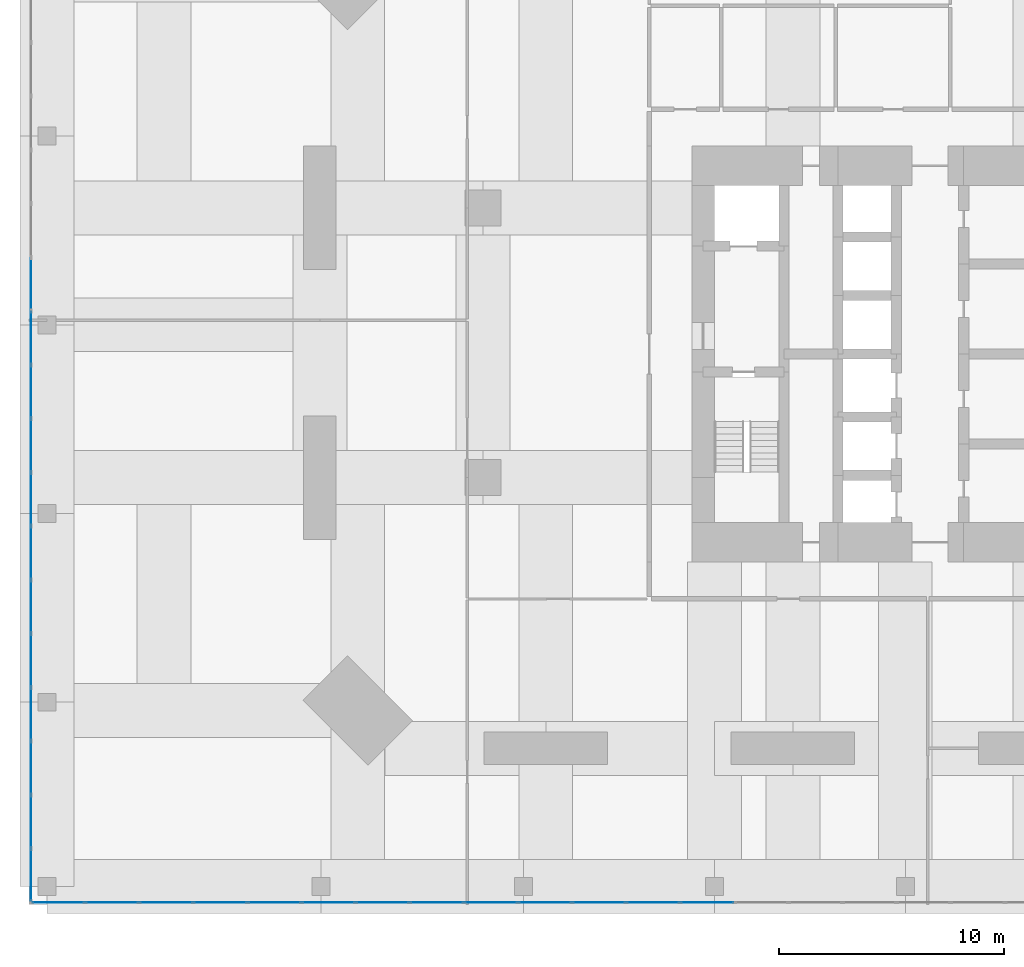
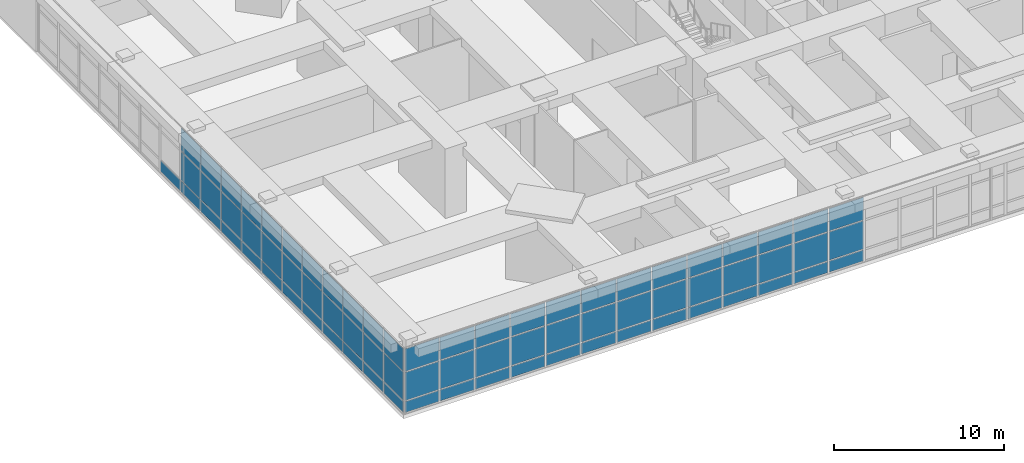
# One storey, part 13 of 22: 73 plates, 2 elements without a shape of their own.
"""IFC4 building model written with IfcOpenShell, lengths in metres."""

from ifc_helpers import new_model, si_unit, direction, frame, origin, origin_2d, place, context, subcontext, project, spatial, rectangle, extrude, material, layer, layer_set, type_object, element, aggregate, save


model = new_model("IFC4")

# Units and contexts
model_context = context("Model", 3, precision=1e-05, world=origin(), true_north=direction((0.0, 1.0)))
body_context = subcontext(model_context, "Body", "Model", "MODEL_VIEW")
ifc_project = project(units=[si_unit("LENGTHUNIT", "METRE"), si_unit("AREAUNIT", "SQUARE_METRE"), si_unit("VOLUMEUNIT", "CUBIC_METRE"), si_unit("PLANEANGLEUNIT", "RADIAN"), si_unit("MASSUNIT", "GRAM", prefix="KILO")], contexts=[model_context])

# Site, building, storey
site_placement = place(None, origin())
site = spatial("IfcSite", under=ifc_project, at=site_placement, CompositionType="ELEMENT")
building_placement = place(site_placement, origin())
building = spatial("IfcBuilding", under=site, at=building_placement, Name="Jalousie Tower", CompositionType="ELEMENT")
storey_placement = place(building_placement, frame((0.0, 0.0, 6.0)))
storey = spatial("IfcBuildingStorey", under=building, at=storey_placement, Name="L01", CompositionType="ELEMENT", Elevation=6.0)

# Curtain wall, plates
ifc_material_1 = material(Name="Aluminium curtain wall", Category="aluminium")
curtain_wall_type = type_object("IfcCurtainWallType", Name="PODIUM WINDOW WALL", PredefinedType="USERDEFINED", material=ifc_material_1)
curtain_wall_1_placement = place(storey_placement, origin())
curtain_wall_1 = element("IfcCurtainWall", 1, at=curtain_wall_1_placement, inside=storey, type_object=curtain_wall_type, Name="Podium Window Wall L01 1", ObjectType="PODIUM WINDOW WALL", PredefinedType="USERDEFINED")
ifc_material_2 = material(Name="Laminated impact-rated glass", Category="glass")
ifc_layer = layer(ifc_material_2, 0.030029296875)
ifc_layer_set = layer_set([ifc_layer], Name="Laminated impact-rated glass")
plate_type = type_object("IfcPlateType", Name="PODIUM WINDOW WALL PANEL", PredefinedType="CURTAIN_PANEL", material=ifc_layer_set)
plate_1_placement = place(storey_placement, frame((-8.691162109375, -5.91259765625, 0.070068359375), z_axis=(0.0, 0.0, 1.0), x_axis=(1.0, 0.0, 0.0)))
plate_1 = element("IfcPlate", 2, at=plate_1_placement, type_object=plate_type, Name="CW-P panel 1.1", PredefinedType="CURTAIN_PANEL", context=body_context, shape_type="SweptSolid", body=[
    extrude(rectangle(XDim=2.302734375, YDim=0.030029296875, at=origin_2d()), origin(), (0.0, 0.0, 1.0), 0.794921875),
])
plate_2_placement = place(storey_placement, frame((-8.691162109375, -5.91259765625, 0.93505859375), z_axis=(0.0, 0.0, 1.0), x_axis=(1.0, 0.0, 0.0)))
plate_2 = element("IfcPlate", 3, at=plate_2_placement, type_object=plate_type, Name="CW-P panel 1.2", PredefinedType="CURTAIN_PANEL", context=body_context, shape_type="SweptSolid", body=[
    extrude(rectangle(XDim=2.302734375, YDim=0.030029296875, at=origin_2d()), origin(), (0.0, 0.0, 1.0), 2.030029296875),
])
plate_3_placement = place(storey_placement, frame((-8.691162109375, -5.91259765625, 3.03515625), z_axis=(0.0, 0.0, 1.0), x_axis=(1.0, 0.0, 0.0)))
plate_3 = element("IfcPlate", 4, at=plate_3_placement, type_object=plate_type, Name="CW-P panel 1.3", PredefinedType="CURTAIN_PANEL", context=body_context, shape_type="SweptSolid", body=[
    extrude(rectangle(XDim=2.302734375, YDim=0.030029296875, at=origin_2d()), origin(), (0.0, 0.0, 1.0), 1.614990234375),
])
plate_4_placement = place(storey_placement, frame((-6.30078125, -5.91259765625, 0.070068359375), z_axis=(0.0, 0.0, 1.0), x_axis=(1.0, 0.0, 0.0)))
plate_4 = element("IfcPlate", 5, at=plate_4_placement, type_object=plate_type, Name="CW-P panel 2.1", PredefinedType="CURTAIN_PANEL", context=body_context, shape_type="SweptSolid", body=[
    extrude(rectangle(XDim=2.337646484375, YDim=0.030029296875, at=origin_2d()), origin(), (0.0, 0.0, 1.0), 0.794921875),
])
plate_5_placement = place(storey_placement, frame((-6.30078125, -5.91259765625, 0.93505859375), z_axis=(0.0, 0.0, 1.0), x_axis=(1.0, 0.0, 0.0)))
plate_5 = element("IfcPlate", 6, at=plate_5_placement, type_object=plate_type, Name="CW-P panel 2.2", PredefinedType="CURTAIN_PANEL", context=body_context, shape_type="SweptSolid", body=[
    extrude(rectangle(XDim=2.337646484375, YDim=0.030029296875, at=origin_2d()), origin(), (0.0, 0.0, 1.0), 2.030029296875),
])
plate_6_placement = place(storey_placement, frame((-6.30078125, -5.91259765625, 3.03515625), z_axis=(0.0, 0.0, 1.0), x_axis=(1.0, 0.0, 0.0)))
plate_6 = element("IfcPlate", 7, at=plate_6_placement, type_object=plate_type, Name="CW-P panel 2.3", PredefinedType="CURTAIN_PANEL", context=body_context, shape_type="SweptSolid", body=[
    extrude(rectangle(XDim=2.337646484375, YDim=0.030029296875, at=origin_2d()), origin(), (0.0, 0.0, 1.0), 1.614990234375),
])
plate_7_placement = place(storey_placement, frame((-3.89306640625, -5.91259765625, 0.070068359375), z_axis=(0.0, 0.0, 1.0), x_axis=(1.0, 0.0, 0.0)))
plate_7 = element("IfcPlate", 8, at=plate_7_placement, type_object=plate_type, Name="CW-P panel 3.1", PredefinedType="CURTAIN_PANEL", context=body_context, shape_type="SweptSolid", body=[
    extrude(rectangle(XDim=2.337646484375, YDim=0.030029296875, at=origin_2d()), origin(), (0.0, 0.0, 1.0), 0.794921875),
])
plate_8_placement = place(storey_placement, frame((-3.89306640625, -5.91259765625, 0.93505859375), z_axis=(0.0, 0.0, 1.0), x_axis=(1.0, 0.0, 0.0)))
plate_8 = element("IfcPlate", 9, at=plate_8_placement, type_object=plate_type, Name="CW-P panel 3.2", PredefinedType="CURTAIN_PANEL", context=body_context, shape_type="SweptSolid", body=[
    extrude(rectangle(XDim=2.337646484375, YDim=0.030029296875, at=origin_2d()), origin(), (0.0, 0.0, 1.0), 2.030029296875),
])
plate_9_placement = place(storey_placement, frame((-3.89306640625, -5.91259765625, 3.03515625), z_axis=(0.0, 0.0, 1.0), x_axis=(1.0, 0.0, 0.0)))
plate_9 = element("IfcPlate", 10, at=plate_9_placement, type_object=plate_type, Name="CW-P panel 3.3", PredefinedType="CURTAIN_PANEL", context=body_context, shape_type="SweptSolid", body=[
    extrude(rectangle(XDim=2.337646484375, YDim=0.030029296875, at=origin_2d()), origin(), (0.0, 0.0, 1.0), 1.614990234375),
])
plate_10_placement = place(storey_placement, frame((-1.4853515625, -5.91259765625, 0.070068359375), z_axis=(0.0, 0.0, 1.0), x_axis=(1.0, 0.0, 0.0)))
plate_10 = element("IfcPlate", 11, at=plate_10_placement, type_object=plate_type, Name="CW-P panel 4.1", PredefinedType="CURTAIN_PANEL", context=body_context, shape_type="SweptSolid", body=[
    extrude(rectangle(XDim=2.337646484375, YDim=0.030029296875, at=origin_2d()), origin(), (0.0, 0.0, 1.0), 0.794921875),
])
plate_11_placement = place(storey_placement, frame((-1.4853515625, -5.91259765625, 0.93505859375), z_axis=(0.0, 0.0, 1.0), x_axis=(1.0, 0.0, 0.0)))
plate_11 = element("IfcPlate", 12, at=plate_11_placement, type_object=plate_type, Name="CW-P panel 4.2", PredefinedType="CURTAIN_PANEL", context=body_context, shape_type="SweptSolid", body=[
    extrude(rectangle(XDim=2.337646484375, YDim=0.030029296875, at=origin_2d()), origin(), (0.0, 0.0, 1.0), 2.030029296875),
])
plate_12_placement = place(storey_placement, frame((-1.4853515625, -5.91259765625, 3.03515625), z_axis=(0.0, 0.0, 1.0), x_axis=(1.0, 0.0, 0.0)))
plate_12 = element("IfcPlate", 13, at=plate_12_placement, type_object=plate_type, Name="CW-P panel 4.3", PredefinedType="CURTAIN_PANEL", context=body_context, shape_type="SweptSolid", body=[
    extrude(rectangle(XDim=2.337646484375, YDim=0.030029296875, at=origin_2d()), origin(), (0.0, 0.0, 1.0), 1.614990234375),
])
plate_13_placement = place(storey_placement, frame((0.92236328125, -5.91259765625, 0.070068359375), z_axis=(0.0, 0.0, 1.0), x_axis=(1.0, 0.0, 0.0)))
plate_13 = element("IfcPlate", 14, at=plate_13_placement, type_object=plate_type, Name="CW-P panel 5.1", PredefinedType="CURTAIN_PANEL", context=body_context, shape_type="SweptSolid", body=[
    extrude(rectangle(XDim=2.337646484375, YDim=0.030029296875, at=origin_2d()), origin(), (0.0, 0.0, 1.0), 0.794921875),
])
plate_14_placement = place(storey_placement, frame((0.92236328125, -5.91259765625, 0.93505859375), z_axis=(0.0, 0.0, 1.0), x_axis=(1.0, 0.0, 0.0)))
plate_14 = element("IfcPlate", 15, at=plate_14_placement, type_object=plate_type, Name="CW-P panel 5.2", PredefinedType="CURTAIN_PANEL", context=body_context, shape_type="SweptSolid", body=[
    extrude(rectangle(XDim=2.337646484375, YDim=0.030029296875, at=origin_2d()), origin(), (0.0, 0.0, 1.0), 2.030029296875),
])
plate_15_placement = place(storey_placement, frame((0.92236328125, -5.91259765625, 3.03515625), z_axis=(0.0, 0.0, 1.0), x_axis=(1.0, 0.0, 0.0)))
plate_15 = element("IfcPlate", 16, at=plate_15_placement, type_object=plate_type, Name="CW-P panel 5.3", PredefinedType="CURTAIN_PANEL", context=body_context, shape_type="SweptSolid", body=[
    extrude(rectangle(XDim=2.337646484375, YDim=0.030029296875, at=origin_2d()), origin(), (0.0, 0.0, 1.0), 1.614990234375),
])
plate_16_placement = place(storey_placement, frame((3.330078125, -5.91259765625, 0.070068359375), z_axis=(0.0, 0.0, 1.0), x_axis=(1.0, 0.0, 0.0)))
plate_16 = element("IfcPlate", 17, at=plate_16_placement, type_object=plate_type, Name="CW-P panel 6.1", PredefinedType="CURTAIN_PANEL", context=body_context, shape_type="SweptSolid", body=[
    extrude(rectangle(XDim=2.337646484375, YDim=0.030029296875, at=origin_2d()), origin(), (0.0, 0.0, 1.0), 0.794921875),
])
plate_17_placement = place(storey_placement, frame((3.330078125, -5.91259765625, 0.93505859375), z_axis=(0.0, 0.0, 1.0), x_axis=(1.0, 0.0, 0.0)))
plate_17 = element("IfcPlate", 18, at=plate_17_placement, type_object=plate_type, Name="CW-P panel 6.2", PredefinedType="CURTAIN_PANEL", context=body_context, shape_type="SweptSolid", body=[
    extrude(rectangle(XDim=2.337646484375, YDim=0.030029296875, at=origin_2d()), origin(), (0.0, 0.0, 1.0), 2.030029296875),
])
plate_18_placement = place(storey_placement, frame((3.330078125, -5.91259765625, 3.03515625), z_axis=(0.0, 0.0, 1.0), x_axis=(1.0, 0.0, 0.0)))
plate_18 = element("IfcPlate", 19, at=plate_18_placement, type_object=plate_type, Name="CW-P panel 6.3", PredefinedType="CURTAIN_PANEL", context=body_context, shape_type="SweptSolid", body=[
    extrude(rectangle(XDim=2.337646484375, YDim=0.030029296875, at=origin_2d()), origin(), (0.0, 0.0, 1.0), 1.614990234375),
])
plate_19_placement = place(storey_placement, frame((5.738037109375, -5.91259765625, 0.070068359375), z_axis=(0.0, 0.0, 1.0), x_axis=(1.0, 0.0, 0.0)))
plate_19 = element("IfcPlate", 20, at=plate_19_placement, type_object=plate_type, Name="CW-P panel 7.1", PredefinedType="CURTAIN_PANEL", context=body_context, shape_type="SweptSolid", body=[
    extrude(rectangle(XDim=2.337646484375, YDim=0.030029296875, at=origin_2d()), origin(), (0.0, 0.0, 1.0), 0.794921875),
])
plate_20_placement = place(storey_placement, frame((5.738037109375, -5.91259765625, 0.93505859375), z_axis=(0.0, 0.0, 1.0), x_axis=(1.0, 0.0, 0.0)))
plate_20 = element("IfcPlate", 21, at=plate_20_placement, type_object=plate_type, Name="CW-P panel 7.2", PredefinedType="CURTAIN_PANEL", context=body_context, shape_type="SweptSolid", body=[
    extrude(rectangle(XDim=2.337646484375, YDim=0.030029296875, at=origin_2d()), origin(), (0.0, 0.0, 1.0), 2.030029296875),
])
plate_21_placement = place(storey_placement, frame((5.738037109375, -5.91259765625, 3.03515625), z_axis=(0.0, 0.0, 1.0), x_axis=(1.0, 0.0, 0.0)))
plate_21 = element("IfcPlate", 22, at=plate_21_placement, type_object=plate_type, Name="CW-P panel 7.3", PredefinedType="CURTAIN_PANEL", context=body_context, shape_type="SweptSolid", body=[
    extrude(rectangle(XDim=2.337646484375, YDim=0.030029296875, at=origin_2d()), origin(), (0.0, 0.0, 1.0), 1.614990234375),
])
plate_22_placement = place(storey_placement, frame((8.145751953125, -5.91259765625, 0.070068359375), z_axis=(0.0, 0.0, 1.0), x_axis=(1.0, 0.0, 0.0)))
plate_22 = element("IfcPlate", 23, at=plate_22_placement, type_object=plate_type, Name="CW-P panel 8.1", PredefinedType="CURTAIN_PANEL", context=body_context, shape_type="SweptSolid", body=[
    extrude(rectangle(XDim=2.337646484375, YDim=0.030029296875, at=origin_2d()), origin(), (0.0, 0.0, 1.0), 0.794921875),
])
plate_23_placement = place(storey_placement, frame((8.145751953125, -5.91259765625, 0.93505859375), z_axis=(0.0, 0.0, 1.0), x_axis=(1.0, 0.0, 0.0)))
plate_23 = element("IfcPlate", 24, at=plate_23_placement, type_object=plate_type, Name="CW-P panel 8.2", PredefinedType="CURTAIN_PANEL", context=body_context, shape_type="SweptSolid", body=[
    extrude(rectangle(XDim=2.337646484375, YDim=0.030029296875, at=origin_2d()), origin(), (0.0, 0.0, 1.0), 2.030029296875),
])
plate_24_placement = place(storey_placement, frame((8.145751953125, -5.91259765625, 3.03515625), z_axis=(0.0, 0.0, 1.0), x_axis=(1.0, 0.0, 0.0)))
plate_24 = element("IfcPlate", 25, at=plate_24_placement, type_object=plate_type, Name="CW-P panel 8.3", PredefinedType="CURTAIN_PANEL", context=body_context, shape_type="SweptSolid", body=[
    extrude(rectangle(XDim=2.337646484375, YDim=0.030029296875, at=origin_2d()), origin(), (0.0, 0.0, 1.0), 1.614990234375),
])
plate_25_placement = place(storey_placement, frame((10.553466796875, -5.91259765625, 0.070068359375), z_axis=(0.0, 0.0, 1.0), x_axis=(1.0, 0.0, 0.0)))
plate_25 = element("IfcPlate", 26, at=plate_25_placement, type_object=plate_type, Name="CW-P panel 9.1", PredefinedType="CURTAIN_PANEL", context=body_context, shape_type="SweptSolid", body=[
    extrude(rectangle(XDim=2.337646484375, YDim=0.030029296875, at=origin_2d()), origin(), (0.0, 0.0, 1.0), 0.794921875),
])
plate_26_placement = place(storey_placement, frame((10.553466796875, -5.91259765625, 0.93505859375), z_axis=(0.0, 0.0, 1.0), x_axis=(1.0, 0.0, 0.0)))
plate_26 = element("IfcPlate", 27, at=plate_26_placement, type_object=plate_type, Name="CW-P panel 9.2", PredefinedType="CURTAIN_PANEL", context=body_context, shape_type="SweptSolid", body=[
    extrude(rectangle(XDim=2.337646484375, YDim=0.030029296875, at=origin_2d()), origin(), (0.0, 0.0, 1.0), 2.030029296875),
])
plate_27_placement = place(storey_placement, frame((10.553466796875, -5.91259765625, 3.03515625), z_axis=(0.0, 0.0, 1.0), x_axis=(1.0, 0.0, 0.0)))
plate_27 = element("IfcPlate", 28, at=plate_27_placement, type_object=plate_type, Name="CW-P panel 9.3", PredefinedType="CURTAIN_PANEL", context=body_context, shape_type="SweptSolid", body=[
    extrude(rectangle(XDim=2.337646484375, YDim=0.030029296875, at=origin_2d()), origin(), (0.0, 0.0, 1.0), 1.614990234375),
])
plate_28_placement = place(storey_placement, frame((12.961181640625, -5.91259765625, 0.070068359375), z_axis=(0.0, 0.0, 1.0), x_axis=(1.0, 0.0, 0.0)))
plate_28 = element("IfcPlate", 29, at=plate_28_placement, type_object=plate_type, Name="CW-P panel 10.1", PredefinedType="CURTAIN_PANEL", context=body_context, shape_type="SweptSolid", body=[
    extrude(rectangle(XDim=2.337646484375, YDim=0.030029296875, at=origin_2d()), origin(), (0.0, 0.0, 1.0), 0.794921875),
])
plate_29_placement = place(storey_placement, frame((12.961181640625, -5.91259765625, 0.93505859375), z_axis=(0.0, 0.0, 1.0), x_axis=(1.0, 0.0, 0.0)))
plate_29 = element("IfcPlate", 30, at=plate_29_placement, type_object=plate_type, Name="CW-P panel 10.2", PredefinedType="CURTAIN_PANEL", context=body_context, shape_type="SweptSolid", body=[
    extrude(rectangle(XDim=2.337646484375, YDim=0.030029296875, at=origin_2d()), origin(), (0.0, 0.0, 1.0), 2.030029296875),
])
plate_30_placement = place(storey_placement, frame((12.961181640625, -5.91259765625, 3.03515625), z_axis=(0.0, 0.0, 1.0), x_axis=(1.0, 0.0, 0.0)))
plate_30 = element("IfcPlate", 31, at=plate_30_placement, type_object=plate_type, Name="CW-P panel 10.3", PredefinedType="CURTAIN_PANEL", context=body_context, shape_type="SweptSolid", body=[
    extrude(rectangle(XDim=2.337646484375, YDim=0.030029296875, at=origin_2d()), origin(), (0.0, 0.0, 1.0), 1.614990234375),
])
plate_31_placement = place(storey_placement, frame((15.368896484375, -5.91259765625, 0.070068359375), z_axis=(0.0, 0.0, 1.0), x_axis=(1.0, 0.0, 0.0)))
plate_31 = element("IfcPlate", 32, at=plate_31_placement, type_object=plate_type, Name="CW-P panel 11.1", PredefinedType="CURTAIN_PANEL", context=body_context, shape_type="SweptSolid", body=[
    extrude(rectangle(XDim=2.337646484375, YDim=0.030029296875, at=origin_2d()), origin(), (0.0, 0.0, 1.0), 0.794921875),
])
plate_32_placement = place(storey_placement, frame((15.368896484375, -5.91259765625, 0.93505859375), z_axis=(0.0, 0.0, 1.0), x_axis=(1.0, 0.0, 0.0)))
plate_32 = element("IfcPlate", 33, at=plate_32_placement, type_object=plate_type, Name="CW-P panel 11.2", PredefinedType="CURTAIN_PANEL", context=body_context, shape_type="SweptSolid", body=[
    extrude(rectangle(XDim=2.337646484375, YDim=0.030029296875, at=origin_2d()), origin(), (0.0, 0.0, 1.0), 2.030029296875),
])
plate_33_placement = place(storey_placement, frame((15.368896484375, -5.91259765625, 3.03515625), z_axis=(0.0, 0.0, 1.0), x_axis=(1.0, 0.0, 0.0)))
plate_33 = element("IfcPlate", 34, at=plate_33_placement, type_object=plate_type, Name="CW-P panel 11.3", PredefinedType="CURTAIN_PANEL", context=body_context, shape_type="SweptSolid", body=[
    extrude(rectangle(XDim=2.337646484375, YDim=0.030029296875, at=origin_2d()), origin(), (0.0, 0.0, 1.0), 1.614990234375),
])
plate_34_placement = place(storey_placement, frame((17.776611328125, -5.91259765625, 0.070068359375), z_axis=(0.0, 0.0, 1.0), x_axis=(1.0, 0.0, 0.0)))
plate_34 = element("IfcPlate", 35, at=plate_34_placement, type_object=plate_type, Name="CW-P panel 12.1", PredefinedType="CURTAIN_PANEL", context=body_context, shape_type="SweptSolid", body=[
    extrude(rectangle(XDim=2.337646484375, YDim=0.030029296875, at=origin_2d()), origin(), (0.0, 0.0, 1.0), 0.794921875),
])
plate_35_placement = place(storey_placement, frame((17.776611328125, -5.91259765625, 0.93505859375), z_axis=(0.0, 0.0, 1.0), x_axis=(1.0, 0.0, 0.0)))
plate_35 = element("IfcPlate", 36, at=plate_35_placement, type_object=plate_type, Name="CW-P panel 12.2", PredefinedType="CURTAIN_PANEL", context=body_context, shape_type="SweptSolid", body=[
    extrude(rectangle(XDim=2.337646484375, YDim=0.030029296875, at=origin_2d()), origin(), (0.0, 0.0, 1.0), 2.030029296875),
])
plate_36_placement = place(storey_placement, frame((17.776611328125, -5.91259765625, 3.03515625), z_axis=(0.0, 0.0, 1.0), x_axis=(1.0, 0.0, 0.0)))
plate_36 = element("IfcPlate", 37, at=plate_36_placement, type_object=plate_type, Name="CW-P panel 12.3", PredefinedType="CURTAIN_PANEL", context=body_context, shape_type="SweptSolid", body=[
    extrude(rectangle(XDim=2.337646484375, YDim=0.030029296875, at=origin_2d()), origin(), (0.0, 0.0, 1.0), 1.614990234375),
])
plate_37_placement = place(storey_placement, frame((20.1845703125, -5.91259765625, 0.070068359375), z_axis=(0.0, 0.0, 1.0), x_axis=(1.0, 0.0, 0.0)))
plate_37 = element("IfcPlate", 38, at=plate_37_placement, type_object=plate_type, Name="CW-P panel 13.1", PredefinedType="CURTAIN_PANEL", context=body_context, shape_type="SweptSolid", body=[
    extrude(rectangle(XDim=2.337646484375, YDim=0.030029296875, at=origin_2d()), origin(), (0.0, 0.0, 1.0), 0.794921875),
])
plate_38_placement = place(storey_placement, frame((20.1845703125, -5.91259765625, 0.93505859375), z_axis=(0.0, 0.0, 1.0), x_axis=(1.0, 0.0, 0.0)))
plate_38 = element("IfcPlate", 39, at=plate_38_placement, type_object=plate_type, Name="CW-P panel 13.2", PredefinedType="CURTAIN_PANEL", context=body_context, shape_type="SweptSolid", body=[
    extrude(rectangle(XDim=2.337646484375, YDim=0.030029296875, at=origin_2d()), origin(), (0.0, 0.0, 1.0), 2.030029296875),
])
plate_39_placement = place(storey_placement, frame((20.1845703125, -5.91259765625, 3.03515625), z_axis=(0.0, 0.0, 1.0), x_axis=(1.0, 0.0, 0.0)))
plate_39 = element("IfcPlate", 40, at=plate_39_placement, type_object=plate_type, Name="CW-P panel 13.3", PredefinedType="CURTAIN_PANEL", context=body_context, shape_type="SweptSolid", body=[
    extrude(rectangle(XDim=2.337646484375, YDim=0.030029296875, at=origin_2d()), origin(), (0.0, 0.0, 1.0), 1.614990234375),
])
aggregate(curtain_wall_1, [plate_1, plate_2, plate_3, plate_4, plate_5, plate_6, plate_7, plate_8, plate_9, plate_10, plate_11, plate_12, plate_13, plate_14, plate_15, plate_16, plate_17, plate_18, plate_19, plate_20, plate_21, plate_22, plate_23, plate_24, plate_25, plate_26, plate_27, plate_28, plate_29, plate_30, plate_31, plate_32, plate_33, plate_34, plate_35, plate_36, plate_37, plate_38, plate_39])

curtain_wall_2_placement = place(storey_placement, origin())
curtain_wall_2 = element("IfcCurtainWall", 41, at=curtain_wall_2_placement, inside=storey, type_object=curtain_wall_type, Name="Podium Window Wall L01 33", ObjectType="PODIUM WINDOW WALL", PredefinedType="USERDEFINED")
plate_40_placement = place(storey_placement, frame((-9.91259765625, 21.599609375, 0.070068359375), z_axis=(0.0, 0.0, 1.0), x_axis=(0.0, -1.0, 0.0)))
plate_40 = element("IfcPlate", 42, at=plate_40_placement, type_object=plate_type, Name="CW-P panel 7.1", PredefinedType="CURTAIN_PANEL", context=body_context, shape_type="SweptSolid", body=[
    extrude(rectangle(XDim=2.322265625, YDim=0.030029296875, at=origin_2d()), origin(), (0.0, 0.0, 1.0), 0.794921875),
])
plate_41_placement = place(storey_placement, frame((-9.91259765625, 19.207275390625, 0.070068359375), z_axis=(0.0, 0.0, 1.0), x_axis=(0.0, -1.0, 0.0)))
plate_41 = element("IfcPlate", 43, at=plate_41_placement, type_object=plate_type, Name="CW-P panel 8.1", PredefinedType="CURTAIN_PANEL", context=body_context, shape_type="SweptSolid", body=[
    extrude(rectangle(XDim=2.322265625, YDim=0.030029296875, at=origin_2d()), origin(), (0.0, 0.0, 1.0), 0.794921875),
])
plate_42_placement = place(storey_placement, frame((-9.91259765625, 19.207275390625, 0.93505859375), z_axis=(0.0, 0.0, 1.0), x_axis=(0.0, -1.0, 0.0)))
plate_42 = element("IfcPlate", 44, at=plate_42_placement, type_object=plate_type, Name="CW-P panel 8.2", PredefinedType="CURTAIN_PANEL", context=body_context, shape_type="SweptSolid", body=[
    extrude(rectangle(XDim=2.322265625, YDim=0.030029296875, at=origin_2d()), origin(), (0.0, 0.0, 1.0), 2.030029296875),
])
plate_43_placement = place(storey_placement, frame((-9.91259765625, 19.207275390625, 3.03515625), z_axis=(0.0, 0.0, 1.0), x_axis=(0.0, -1.0, 0.0)))
plate_43 = element("IfcPlate", 45, at=plate_43_placement, type_object=plate_type, Name="CW-P panel 8.3", PredefinedType="CURTAIN_PANEL", context=body_context, shape_type="SweptSolid", body=[
    extrude(rectangle(XDim=2.322265625, YDim=0.030029296875, at=origin_2d()), origin(), (0.0, 0.0, 1.0), 1.614990234375),
])
plate_44_placement = place(storey_placement, frame((-9.91259765625, 16.81494140625, 0.070068359375), z_axis=(0.0, 0.0, 1.0), x_axis=(0.0, -1.0, 0.0)))
plate_44 = element("IfcPlate", 46, at=plate_44_placement, type_object=plate_type, Name="CW-P panel 9.1", PredefinedType="CURTAIN_PANEL", context=body_context, shape_type="SweptSolid", body=[
    extrude(rectangle(XDim=2.322265625, YDim=0.030029296875, at=origin_2d()), origin(), (0.0, 0.0, 1.0), 0.794921875),
])
plate_45_placement = place(storey_placement, frame((-9.91259765625, 16.81494140625, 0.93505859375), z_axis=(0.0, 0.0, 1.0), x_axis=(0.0, -1.0, 0.0)))
plate_45 = element("IfcPlate", 47, at=plate_45_placement, type_object=plate_type, Name="CW-P panel 9.2", PredefinedType="CURTAIN_PANEL", context=body_context, shape_type="SweptSolid", body=[
    extrude(rectangle(XDim=2.322265625, YDim=0.030029296875, at=origin_2d()), origin(), (0.0, 0.0, 1.0), 2.030029296875),
])
plate_46_placement = place(storey_placement, frame((-9.91259765625, 16.81494140625, 3.03515625), z_axis=(0.0, 0.0, 1.0), x_axis=(0.0, -1.0, 0.0)))
plate_46 = element("IfcPlate", 48, at=plate_46_placement, type_object=plate_type, Name="CW-P panel 9.3", PredefinedType="CURTAIN_PANEL", context=body_context, shape_type="SweptSolid", body=[
    extrude(rectangle(XDim=2.322265625, YDim=0.030029296875, at=origin_2d()), origin(), (0.0, 0.0, 1.0), 1.614990234375),
])
plate_47_placement = place(storey_placement, frame((-9.91259765625, 14.422607421875, 0.070068359375), z_axis=(0.0, 0.0, 1.0), x_axis=(0.0, -1.0, 0.0)))
plate_47 = element("IfcPlate", 49, at=plate_47_placement, type_object=plate_type, Name="CW-P panel 10.1", PredefinedType="CURTAIN_PANEL", context=body_context, shape_type="SweptSolid", body=[
    extrude(rectangle(XDim=2.322265625, YDim=0.030029296875, at=origin_2d()), origin(), (0.0, 0.0, 1.0), 0.794921875),
])
plate_48_placement = place(storey_placement, frame((-9.91259765625, 14.422607421875, 0.93505859375), z_axis=(0.0, 0.0, 1.0), x_axis=(0.0, -1.0, 0.0)))
plate_48 = element("IfcPlate", 50, at=plate_48_placement, type_object=plate_type, Name="CW-P panel 10.2", PredefinedType="CURTAIN_PANEL", context=body_context, shape_type="SweptSolid", body=[
    extrude(rectangle(XDim=2.322265625, YDim=0.030029296875, at=origin_2d()), origin(), (0.0, 0.0, 1.0), 2.030029296875),
])
plate_49_placement = place(storey_placement, frame((-9.91259765625, 14.422607421875, 3.03515625), z_axis=(0.0, 0.0, 1.0), x_axis=(0.0, -1.0, 0.0)))
plate_49 = element("IfcPlate", 51, at=plate_49_placement, type_object=plate_type, Name="CW-P panel 10.3", PredefinedType="CURTAIN_PANEL", context=body_context, shape_type="SweptSolid", body=[
    extrude(rectangle(XDim=2.322265625, YDim=0.030029296875, at=origin_2d()), origin(), (0.0, 0.0, 1.0), 1.614990234375),
])
plate_50_placement = place(storey_placement, frame((-9.91259765625, 12.0302734375, 0.070068359375), z_axis=(0.0, 0.0, 1.0), x_axis=(0.0, -1.0, 0.0)))
plate_50 = element("IfcPlate", 52, at=plate_50_placement, type_object=plate_type, Name="CW-P panel 11.1", PredefinedType="CURTAIN_PANEL", context=body_context, shape_type="SweptSolid", body=[
    extrude(rectangle(XDim=2.322265625, YDim=0.030029296875, at=origin_2d()), origin(), (0.0, 0.0, 1.0), 0.794921875),
])
plate_51_placement = place(storey_placement, frame((-9.91259765625, 12.0302734375, 0.93505859375), z_axis=(0.0, 0.0, 1.0), x_axis=(0.0, -1.0, 0.0)))
plate_51 = element("IfcPlate", 53, at=plate_51_placement, type_object=plate_type, Name="CW-P panel 11.2", PredefinedType="CURTAIN_PANEL", context=body_context, shape_type="SweptSolid", body=[
    extrude(rectangle(XDim=2.322265625, YDim=0.030029296875, at=origin_2d()), origin(), (0.0, 0.0, 1.0), 2.030029296875),
])
plate_52_placement = place(storey_placement, frame((-9.91259765625, 12.0302734375, 3.03515625), z_axis=(0.0, 0.0, 1.0), x_axis=(0.0, -1.0, 0.0)))
plate_52 = element("IfcPlate", 54, at=plate_52_placement, type_object=plate_type, Name="CW-P panel 11.3", PredefinedType="CURTAIN_PANEL", context=body_context, shape_type="SweptSolid", body=[
    extrude(rectangle(XDim=2.322265625, YDim=0.030029296875, at=origin_2d()), origin(), (0.0, 0.0, 1.0), 1.614990234375),
])
plate_53_placement = place(storey_placement, frame((-9.91259765625, 9.637939453125, 0.070068359375), z_axis=(0.0, 0.0, 1.0), x_axis=(0.0, -1.0, 0.0)))
plate_53 = element("IfcPlate", 55, at=plate_53_placement, type_object=plate_type, Name="CW-P panel 12.1", PredefinedType="CURTAIN_PANEL", context=body_context, shape_type="SweptSolid", body=[
    extrude(rectangle(XDim=2.322265625, YDim=0.030029296875, at=origin_2d()), origin(), (0.0, 0.0, 1.0), 0.794921875),
])
plate_54_placement = place(storey_placement, frame((-9.91259765625, 9.637939453125, 0.93505859375), z_axis=(0.0, 0.0, 1.0), x_axis=(0.0, -1.0, 0.0)))
plate_54 = element("IfcPlate", 56, at=plate_54_placement, type_object=plate_type, Name="CW-P panel 12.2", PredefinedType="CURTAIN_PANEL", context=body_context, shape_type="SweptSolid", body=[
    extrude(rectangle(XDim=2.322265625, YDim=0.030029296875, at=origin_2d()), origin(), (0.0, 0.0, 1.0), 2.030029296875),
])
plate_55_placement = place(storey_placement, frame((-9.91259765625, 9.637939453125, 3.03515625), z_axis=(0.0, 0.0, 1.0), x_axis=(0.0, -1.0, 0.0)))
plate_55 = element("IfcPlate", 57, at=plate_55_placement, type_object=plate_type, Name="CW-P panel 12.3", PredefinedType="CURTAIN_PANEL", context=body_context, shape_type="SweptSolid", body=[
    extrude(rectangle(XDim=2.322265625, YDim=0.030029296875, at=origin_2d()), origin(), (0.0, 0.0, 1.0), 1.614990234375),
])
plate_56_placement = place(storey_placement, frame((-9.91259765625, 7.24560546875, 0.070068359375), z_axis=(0.0, 0.0, 1.0), x_axis=(0.0, -1.0, 0.0)))
plate_56 = element("IfcPlate", 58, at=plate_56_placement, type_object=plate_type, Name="CW-P panel 13.1", PredefinedType="CURTAIN_PANEL", context=body_context, shape_type="SweptSolid", body=[
    extrude(rectangle(XDim=2.322265625, YDim=0.030029296875, at=origin_2d()), origin(), (0.0, 0.0, 1.0), 0.794921875),
])
plate_57_placement = place(storey_placement, frame((-9.91259765625, 7.24560546875, 0.93505859375), z_axis=(0.0, 0.0, 1.0), x_axis=(0.0, -1.0, 0.0)))
plate_57 = element("IfcPlate", 59, at=plate_57_placement, type_object=plate_type, Name="CW-P panel 13.2", PredefinedType="CURTAIN_PANEL", context=body_context, shape_type="SweptSolid", body=[
    extrude(rectangle(XDim=2.322265625, YDim=0.030029296875, at=origin_2d()), origin(), (0.0, 0.0, 1.0), 2.030029296875),
])
plate_58_placement = place(storey_placement, frame((-9.91259765625, 7.24560546875, 3.03515625), z_axis=(0.0, 0.0, 1.0), x_axis=(0.0, -1.0, 0.0)))
plate_58 = element("IfcPlate", 60, at=plate_58_placement, type_object=plate_type, Name="CW-P panel 13.3", PredefinedType="CURTAIN_PANEL", context=body_context, shape_type="SweptSolid", body=[
    extrude(rectangle(XDim=2.322265625, YDim=0.030029296875, at=origin_2d()), origin(), (0.0, 0.0, 1.0), 1.614990234375),
])
plate_59_placement = place(storey_placement, frame((-9.91259765625, 4.85302734375, 0.070068359375), z_axis=(0.0, 0.0, 1.0), x_axis=(0.0, -1.0, 0.0)))
plate_59 = element("IfcPlate", 61, at=plate_59_placement, type_object=plate_type, Name="CW-P panel 14.1", PredefinedType="CURTAIN_PANEL", context=body_context, shape_type="SweptSolid", body=[
    extrude(rectangle(XDim=2.322265625, YDim=0.030029296875, at=origin_2d()), origin(), (0.0, 0.0, 1.0), 0.794921875),
])
plate_60_placement = place(storey_placement, frame((-9.91259765625, 4.85302734375, 0.93505859375), z_axis=(0.0, 0.0, 1.0), x_axis=(0.0, -1.0, 0.0)))
plate_60 = element("IfcPlate", 62, at=plate_60_placement, type_object=plate_type, Name="CW-P panel 14.2", PredefinedType="CURTAIN_PANEL", context=body_context, shape_type="SweptSolid", body=[
    extrude(rectangle(XDim=2.322265625, YDim=0.030029296875, at=origin_2d()), origin(), (0.0, 0.0, 1.0), 2.030029296875),
])
plate_61_placement = place(storey_placement, frame((-9.91259765625, 4.85302734375, 3.03515625), z_axis=(0.0, 0.0, 1.0), x_axis=(0.0, -1.0, 0.0)))
plate_61 = element("IfcPlate", 63, at=plate_61_placement, type_object=plate_type, Name="CW-P panel 14.3", PredefinedType="CURTAIN_PANEL", context=body_context, shape_type="SweptSolid", body=[
    extrude(rectangle(XDim=2.322265625, YDim=0.030029296875, at=origin_2d()), origin(), (0.0, 0.0, 1.0), 1.614990234375),
])
plate_62_placement = place(storey_placement, frame((-9.91259765625, 2.460693359375, 0.070068359375), z_axis=(0.0, 0.0, 1.0), x_axis=(0.0, -1.0, 0.0)))
plate_62 = element("IfcPlate", 64, at=plate_62_placement, type_object=plate_type, Name="CW-P panel 15.1", PredefinedType="CURTAIN_PANEL", context=body_context, shape_type="SweptSolid", body=[
    extrude(rectangle(XDim=2.322265625, YDim=0.030029296875, at=origin_2d()), origin(), (0.0, 0.0, 1.0), 0.794921875),
])
plate_63_placement = place(storey_placement, frame((-9.91259765625, 2.460693359375, 0.93505859375), z_axis=(0.0, 0.0, 1.0), x_axis=(0.0, -1.0, 0.0)))
plate_63 = element("IfcPlate", 65, at=plate_63_placement, type_object=plate_type, Name="CW-P panel 15.2", PredefinedType="CURTAIN_PANEL", context=body_context, shape_type="SweptSolid", body=[
    extrude(rectangle(XDim=2.322265625, YDim=0.030029296875, at=origin_2d()), origin(), (0.0, 0.0, 1.0), 2.030029296875),
])
plate_64_placement = place(storey_placement, frame((-9.91259765625, 2.460693359375, 3.03515625), z_axis=(0.0, 0.0, 1.0), x_axis=(0.0, -1.0, 0.0)))
plate_64 = element("IfcPlate", 66, at=plate_64_placement, type_object=plate_type, Name="CW-P panel 15.3", PredefinedType="CURTAIN_PANEL", context=body_context, shape_type="SweptSolid", body=[
    extrude(rectangle(XDim=2.322265625, YDim=0.030029296875, at=origin_2d()), origin(), (0.0, 0.0, 1.0), 1.614990234375),
])
plate_65_placement = place(storey_placement, frame((-9.91259765625, 0.068359375, 0.070068359375), z_axis=(0.0, 0.0, 1.0), x_axis=(0.0, -1.0, 0.0)))
plate_65 = element("IfcPlate", 67, at=plate_65_placement, type_object=plate_type, Name="CW-P panel 16.1", PredefinedType="CURTAIN_PANEL", context=body_context, shape_type="SweptSolid", body=[
    extrude(rectangle(XDim=2.322265625, YDim=0.030029296875, at=origin_2d()), origin(), (0.0, 0.0, 1.0), 0.794921875),
])
plate_66_placement = place(storey_placement, frame((-9.91259765625, 0.068359375, 0.93505859375), z_axis=(0.0, 0.0, 1.0), x_axis=(0.0, -1.0, 0.0)))
plate_66 = element("IfcPlate", 68, at=plate_66_placement, type_object=plate_type, Name="CW-P panel 16.2", PredefinedType="CURTAIN_PANEL", context=body_context, shape_type="SweptSolid", body=[
    extrude(rectangle(XDim=2.322265625, YDim=0.030029296875, at=origin_2d()), origin(), (0.0, 0.0, 1.0), 2.030029296875),
])
plate_67_placement = place(storey_placement, frame((-9.91259765625, 0.068359375, 3.03515625), z_axis=(0.0, 0.0, 1.0), x_axis=(0.0, -1.0, 0.0)))
plate_67 = element("IfcPlate", 69, at=plate_67_placement, type_object=plate_type, Name="CW-P panel 16.3", PredefinedType="CURTAIN_PANEL", context=body_context, shape_type="SweptSolid", body=[
    extrude(rectangle(XDim=2.322265625, YDim=0.030029296875, at=origin_2d()), origin(), (0.0, 0.0, 1.0), 1.614990234375),
])
plate_68_placement = place(storey_placement, frame((-9.91259765625, -2.323974609375, 0.070068359375), z_axis=(0.0, 0.0, 1.0), x_axis=(0.0, -1.0, 0.0)))
plate_68 = element("IfcPlate", 70, at=plate_68_placement, type_object=plate_type, Name="CW-P panel 17.1", PredefinedType="CURTAIN_PANEL", context=body_context, shape_type="SweptSolid", body=[
    extrude(rectangle(XDim=2.322265625, YDim=0.030029296875, at=origin_2d()), origin(), (0.0, 0.0, 1.0), 0.794921875),
])
plate_69_placement = place(storey_placement, frame((-9.91259765625, -2.323974609375, 0.93505859375), z_axis=(0.0, 0.0, 1.0), x_axis=(0.0, -1.0, 0.0)))
plate_69 = element("IfcPlate", 71, at=plate_69_placement, type_object=plate_type, Name="CW-P panel 17.2", PredefinedType="CURTAIN_PANEL", context=body_context, shape_type="SweptSolid", body=[
    extrude(rectangle(XDim=2.322265625, YDim=0.030029296875, at=origin_2d()), origin(), (0.0, 0.0, 1.0), 2.030029296875),
])
plate_70_placement = place(storey_placement, frame((-9.91259765625, -2.323974609375, 3.03515625), z_axis=(0.0, 0.0, 1.0), x_axis=(0.0, -1.0, 0.0)))
plate_70 = element("IfcPlate", 72, at=plate_70_placement, type_object=plate_type, Name="CW-P panel 17.3", PredefinedType="CURTAIN_PANEL", context=body_context, shape_type="SweptSolid", body=[
    extrude(rectangle(XDim=2.322265625, YDim=0.030029296875, at=origin_2d()), origin(), (0.0, 0.0, 1.0), 1.614990234375),
])
plate_71_placement = place(storey_placement, frame((-9.91259765625, -4.69873046875, 0.070068359375), z_axis=(0.0, 0.0, 1.0), x_axis=(0.0, -1.0, 0.0)))
plate_71 = element("IfcPlate", 73, at=plate_71_placement, type_object=plate_type, Name="CW-P panel 18.1", PredefinedType="CURTAIN_PANEL", context=body_context, shape_type="SweptSolid", body=[
    extrude(rectangle(XDim=2.287353515625, YDim=0.030029296875, at=origin_2d()), origin(), (0.0, 0.0, 1.0), 0.794921875),
])
plate_72_placement = place(storey_placement, frame((-9.91259765625, -4.69873046875, 0.93505859375), z_axis=(0.0, 0.0, 1.0), x_axis=(0.0, -1.0, 0.0)))
plate_72 = element("IfcPlate", 74, at=plate_72_placement, type_object=plate_type, Name="CW-P panel 18.2", PredefinedType="CURTAIN_PANEL", context=body_context, shape_type="SweptSolid", body=[
    extrude(rectangle(XDim=2.287353515625, YDim=0.030029296875, at=origin_2d()), origin(), (0.0, 0.0, 1.0), 2.030029296875),
])
plate_73_placement = place(storey_placement, frame((-9.91259765625, -4.69873046875, 3.03515625), z_axis=(0.0, 0.0, 1.0), x_axis=(0.0, -1.0, 0.0)))
plate_73 = element("IfcPlate", 75, at=plate_73_placement, type_object=plate_type, Name="CW-P panel 18.3", PredefinedType="CURTAIN_PANEL", context=body_context, shape_type="SweptSolid", body=[
    extrude(rectangle(XDim=2.287353515625, YDim=0.030029296875, at=origin_2d()), origin(), (0.0, 0.0, 1.0), 1.614990234375),
])
aggregate(curtain_wall_2, [plate_40, plate_41, plate_42, plate_43, plate_44, plate_45, plate_46, plate_47, plate_48, plate_49, plate_50, plate_51, plate_52, plate_53, plate_54, plate_55, plate_56, plate_57, plate_58, plate_59, plate_60, plate_61, plate_62, plate_63, plate_64, plate_65, plate_66, plate_67, plate_68, plate_69, plate_70, plate_71, plate_72, plate_73])

save(model, "model.ifc")
